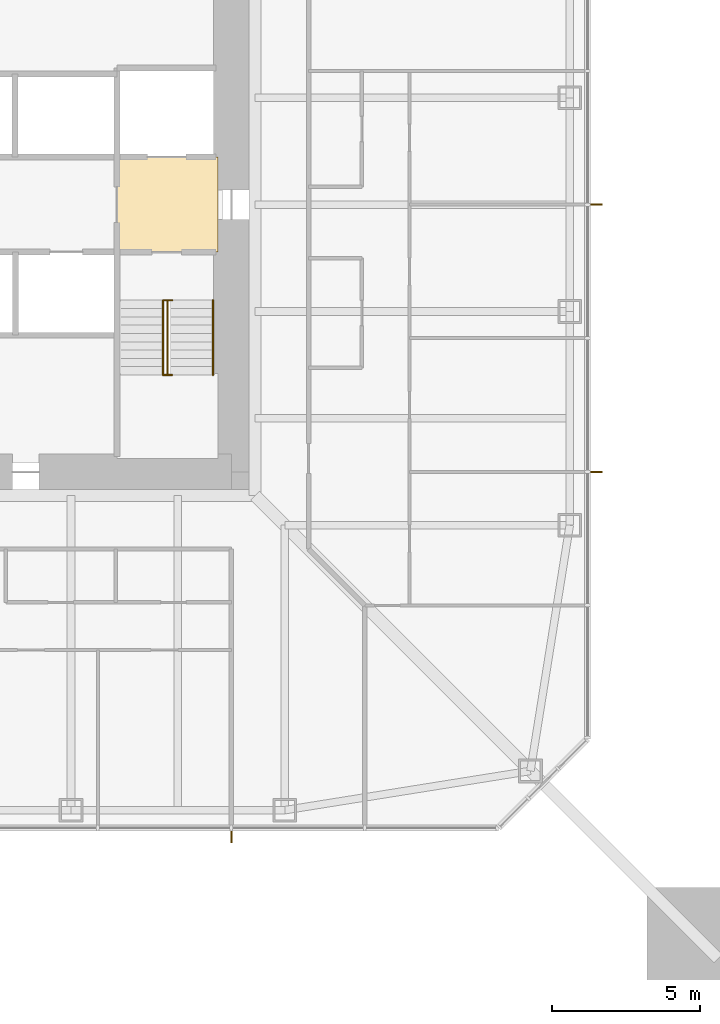
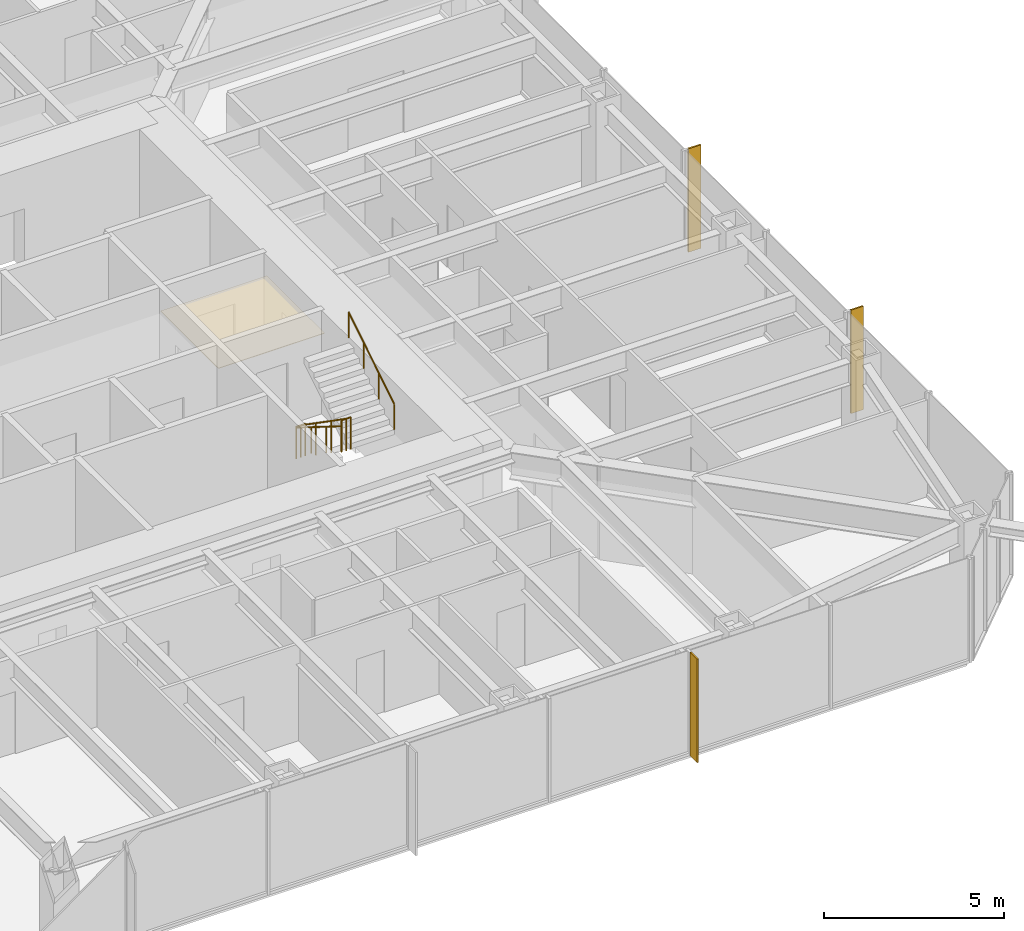
# One storey, part 23 of 25: 3 railings, 3 shading devices, 1 covering.
"""IFC4 building model written with IfcOpenShell, lengths in metres."""

from ifc_helpers import new_model, si_unit, direction, frame, origin, origin_2d, place, context, subcontext, project, spatial, polyline, rectangle, circle, outline, extrude, material, layer, layer_set, constituent, constituent_set, type_object, element, save


model = new_model("IFC4")

# Units and contexts
model_context = context("Model", 3, precision=1e-05, world=origin(), true_north=direction((0.0, 1.0)))
body_context = subcontext(model_context, "Body", "Model", "MODEL_VIEW")
ifc_project = project(units=[si_unit("LENGTHUNIT", "METRE"), si_unit("AREAUNIT", "SQUARE_METRE"), si_unit("VOLUMEUNIT", "CUBIC_METRE"), si_unit("PLANEANGLEUNIT", "RADIAN"), si_unit("MASSUNIT", "GRAM", prefix="KILO")], contexts=[model_context])

# Site, building, storey
site_placement = place(None, origin())
site = spatial("IfcSite", under=ifc_project, at=site_placement, CompositionType="ELEMENT")
building_placement = place(site_placement, origin())
building = spatial("IfcBuilding", under=site, at=building_placement, Name="Iwan Alto Co-Living Towers", CompositionType="ELEMENT")
storey_placement = place(building_placement, frame((0.0, 0.0, 105.0)))
storey = spatial("IfcBuildingStorey", under=building, at=storey_placement, Name="L28", CompositionType="ELEMENT", Elevation=105.0)

# Covering
ifc_material_1 = material(Name="Mineral fibre acoustic tiles on steel grid", Category="steel")
ifc_layer_1 = layer(ifc_material_1, 0.02001953125)
ifc_layer_set_1 = layer_set([ifc_layer_1], Name="ACOUSTIC TILE CEILING 20")
covering_type = type_object("IfcCoveringType", Name="ACOUSTIC TILE CEILING 20", PredefinedType="CEILING", material=ifc_layer_set_1)
covering_placement = place(storey_placement, frame((0.0, 0.0, 2.60009765625)))
element("IfcCovering", 1, at=covering_placement, inside=storey, type_object=covering_type, Name="Ceiling Firefighting lobby L28", PredefinedType="CEILING", context=body_context, shape_type="SweptSolid", body=[
    extrude(outline(polyline([(5.14990234375, -1.60009765625), (5.14990234375, 1.60009765625), (8.550048828125, 1.60009765625), (8.550048828125, -1.60009765625), (5.14990234375, -1.60009765625)])), origin(), (0.0, 0.0, 1.0), 0.02001953125),
])

# Shading devices
ifc_material_2 = material(Name="Aluminium 6063-T6 bronze anodised", Category="aluminium")
ifc_layer_2 = layer(ifc_material_2, 0.050048828125)
ifc_layer_set_2 = layer_set([ifc_layer_2], Name="BRONZE FIN 50X400")
shading_device_type = type_object("IfcShadingDeviceType", Name="BRONZE FIN 50X400", PredefinedType="USERDEFINED", material=ifc_layer_set_2)
for number, where, z_axis, x_axis, name in (
    (2, (9.0, -21.300048828125, 0.0), (0.0, 0.0, 1.0), (1.0, 0.0, 0.0), "Bronze fin L28"),
    (3, (21.300048828125, -9.0, 0.0), (0.0, 0.0, 1.0), (0.0, 1.0, 0.0), "Bronze fin L28"),
    (4, (21.300048828125, 0.0, 0.0), (0.0, 0.0, 1.0), (0.0, 1.0, 0.0), "Bronze fin L28"),
):
    element("IfcShadingDevice", number, at=place(storey_placement, frame(where, z_axis=z_axis, x_axis=x_axis)), inside=storey, type_object=shading_device_type, Name=name, ObjectType="LOUVER", PredefinedType="USERDEFINED", context=body_context, shape_type="SweptSolid", body=[
        extrude(rectangle(XDim=0.050048828125, YDim=0.39990234375, at=origin_2d()), origin(), (0.0, 0.0, 1.0), 3.5),
    ])

# Railings
ifc_material_3 = material(Name="Steel ASTM A500 Gr C", Category="steel")
ifc_constituent_1 = constituent(ifc_material_3, Name="Rails and posts", Category="Framing")
ifc_material_4 = material(Name="Steel ASTM A36", Category="steel")
ifc_constituent_2 = constituent(ifc_material_4, Name="Bar infill", Category="Infill")
ifc_constituent_set = constituent_set(constituents=[ifc_constituent_1, ifc_constituent_2], Name="STAIR GUARD 1100")
railing_type_1 = type_object("IfcRailingType", Name="STAIR GUARD 1100", PredefinedType="GUARDRAIL", material=ifc_constituent_set)
railing_1_placement = place(storey_placement, frame((6.85009765625, -3.219970703125, 0.0)))
element("IfcRailing", 5, at=railing_1_placement, inside=storey, type_object=railing_type_1, Name="Stair T1-S2 well guard L28", PredefinedType="GUARDRAIL", context=body_context, shape_type="SweptSolid", body=[
    extrude(circle(Radius=0.02392578125, at=origin_2d()), frame((0.0, 0.0, 1.076171875), z_axis=(0.0, -0.821372036852, 0.570392826987), x_axis=(1.0, 0.0, 0.0)), (0.0, 0.0, 1.0), 3.068115234375),
    extrude(circle(Radius=0.02392578125, at=origin_2d()), frame((-0.150146484375, 0.0, 1.076171875), z_axis=(1.0, 0.0, 0.0), x_axis=(0.0, 1.0, 0.0)), (0.0, 0.0, 1.0), 0.300048828125),
    extrude(circle(Radius=0.02392578125, at=origin_2d()), frame((-0.150146484375, -2.52001953125, 2.826171875), z_axis=(1.0, 0.0, 0.0), x_axis=(0.0, 1.0, 0.0)), (0.0, 0.0, 1.0), 0.300048828125),
    extrude(circle(Radius=0.02099609375, at=origin_2d()), origin(), (0.0, 0.0, 1.0), 1.052001953125),
    extrude(circle(Radius=0.02099609375, at=origin_2d()), frame((0.0, -0.840087890625, 0.583251953125)), (0.0, 0.0, 1.0), 1.052001953125),
    extrude(circle(Radius=0.02099609375, at=origin_2d()), frame((0.0, -1.679931640625, 1.166748046875)), (0.0, 0.0, 1.0), 1.052001953125),
    extrude(circle(Radius=0.02099609375, at=origin_2d()), frame((0.0, -2.52001953125, 1.75)), (0.0, 0.0, 1.0), 1.052001953125),
    extrude(circle(Radius=0.02099609375, at=origin_2d()), frame((-0.150146484375, 0.0, 0.0)), (0.0, 0.0, 1.0), 1.052001953125),
    extrude(circle(Radius=0.02099609375, at=origin_2d()), frame((0.14990234375, 0.0, 0.0)), (0.0, 0.0, 1.0), 1.052001953125),
    extrude(circle(Radius=0.02099609375, at=origin_2d()), frame((-0.150146484375, -2.52001953125, 1.75)), (0.0, 0.0, 1.0), 1.052001953125),
    extrude(circle(Radius=0.02099609375, at=origin_2d()), frame((0.14990234375, -2.52001953125, 1.75)), (0.0, 0.0, 1.0), 1.052001953125),
])
ifc_material_5 = material(Name="Steel ASTM A500 Gr C", Category="steel")
railing_type_2 = type_object("IfcRailingType", Name="STAIR HANDRAIL 900", PredefinedType="HANDRAIL", material=ifc_material_5)
railing_2_placement = place(storey_placement, frame((6.699951171875, -3.219970703125, 0.175048828125)))
element("IfcRailing", 6, at=railing_2_placement, inside=storey, type_object=railing_type_2, Name="Stair T1-S2 handrail 1 L28", PredefinedType="HANDRAIL", context=body_context, shape_type="SweptSolid", body=[
    extrude(circle(Radius=0.02392578125, at=origin_2d()), frame((0.0, 0.0, 0.8759765625), z_axis=(0.0, -0.848007534815, 0.529984170421), x_axis=(1.0, 0.0, 0.0)), (0.0, 0.0, 1.0), 2.9716796875),
    extrude(circle(Radius=0.02099609375, at=origin_2d()), origin(), (0.0, 0.0, 1.0), 0.851806640625),
    extrude(circle(Radius=0.02099609375, at=origin_2d()), frame((0.0, -0.840087890625, 0.52490234375)), (0.0, 0.0, 1.0), 0.851806640625),
    extrude(circle(Radius=0.02099609375, at=origin_2d()), frame((0.0, -1.679931640625, 1.050048828125)), (0.0, 0.0, 1.0), 0.851806640625),
    extrude(circle(Radius=0.02099609375, at=origin_2d()), frame((0.0, -2.52001953125, 1.574951171875)), (0.0, 0.0, 1.0), 0.851806640625),
])
railing_3_placement = place(storey_placement, frame((8.3798828125, -5.739990234375, 1.925048828125)))
element("IfcRailing", 7, at=railing_3_placement, inside=storey, type_object=railing_type_2, Name="Stair T1-S2 handrail 2 L28", PredefinedType="HANDRAIL", context=body_context, shape_type="SweptSolid", body=[
    extrude(circle(Radius=0.02392578125, at=origin_2d()), frame((0.0, 0.0, 0.8759765625), z_axis=(0.0, 0.848007534815, 0.529984170421), x_axis=(-1.0, 0.0, 0.0)), (0.0, 0.0, 1.0), 2.9716796875),
    extrude(circle(Radius=0.02099609375, at=origin_2d()), origin(), (0.0, 0.0, 1.0), 0.851806640625),
    extrude(circle(Radius=0.02099609375, at=origin_2d()), frame((0.0, 0.840087890625, 0.52490234375)), (0.0, 0.0, 1.0), 0.851806640625),
    extrude(circle(Radius=0.02099609375, at=origin_2d()), frame((0.0, 1.679931640625, 1.050048828125)), (0.0, 0.0, 1.0), 0.851806640625),
    extrude(circle(Radius=0.02099609375, at=origin_2d()), frame((0.0, 2.52001953125, 1.574951171875)), (0.0, 0.0, 1.0), 0.851806640625),
])

save(model, "model.ifc")
